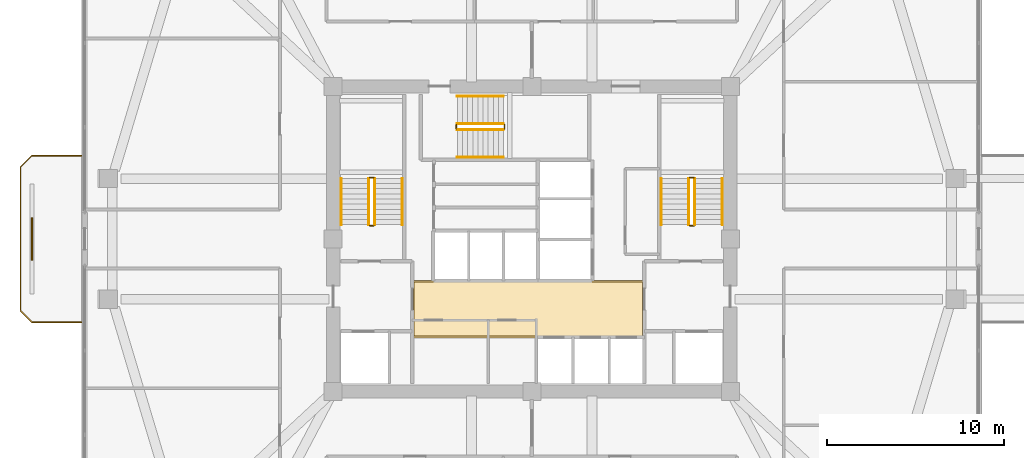
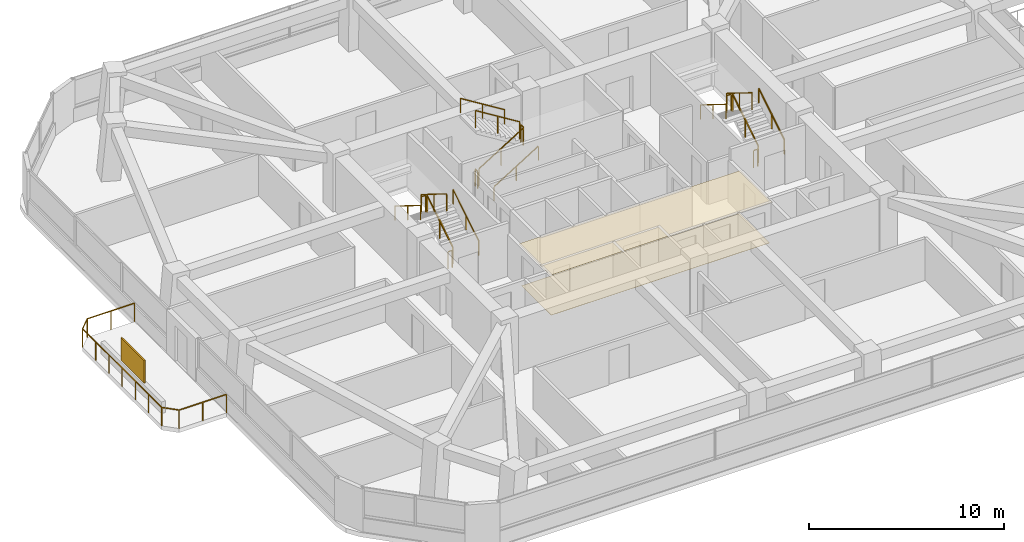
# One storey, part 13 of 14: 19 railings, 2 coverings, 1 shading device.
"""IFC4 building model written with IfcOpenShell, lengths in metres."""

from ifc_helpers import new_model, si_unit, derived_unit, direction, frame, origin, origin_2d, place, context, subcontext, project, spatial, polyline, rectangle, outline, extrude, material, layer, layer_set, type_object, element, save


model = new_model("IFC4")

# Units and contexts
model_context = context("Model", 3, precision=1e-05, world=origin(), true_north=direction((0.0, 1.0)))
body_context = subcontext(model_context, "Body", "Model", "MODEL_VIEW")
ifc_project = project(units=[si_unit("LENGTHUNIT", "METRE"), si_unit("AREAUNIT", "SQUARE_METRE"), si_unit("VOLUMEUNIT", "CUBIC_METRE"), si_unit("PLANEANGLEUNIT", "RADIAN"), si_unit("MASSUNIT", "GRAM", prefix="KILO"), derived_unit("THERMALTRANSMITTANCEUNIT", [(si_unit("POWERUNIT", "WATT"), 1), (si_unit("LENGTHUNIT", "METRE"), -2), (si_unit("THERMODYNAMICTEMPERATUREUNIT", "KELVIN"), -1)])], contexts=[model_context])

# Site, building, storey
site_placement = place(None, origin())
site = spatial("IfcSite", under=ifc_project, at=site_placement, CompositionType="ELEMENT")
building_placement = place(site_placement, origin())
building = spatial("IfcBuilding", under=site, at=building_placement, Name="Koralith Skygarden Medical Center", CompositionType="ELEMENT")
storey_placement = place(building_placement, frame((0.0, 0.0, 106.3798828125)))
storey = spatial("IfcBuildingStorey", under=building, at=storey_placement, Name="L27", CompositionType="ELEMENT", Elevation=106.3798828125)

# Covering
ifc_material_1 = material(Name="Acoustic Mineral Tile")
ifc_layer_1 = layer(ifc_material_1, 0.02001953125)
ifc_layer_set_1 = layer_set([ifc_layer_1], Name="Acoustic Mineral Tile")
covering_type_1 = type_object("IfcCoveringType", Name="Acoustic Hygienic Mineral Ceiling 20", PredefinedType="CEILING", material=ifc_layer_set_1)
covering_1_placement = place(storey_placement, frame((0.0, 0.0, 2.585205078125)))
element("IfcCovering", 1, at=covering_1_placement, inside=storey, type_object=covering_type_1, Name="L27 Core Lobby Acoustic Ceiling", PredefinedType="CEILING", context=body_context, shape_type="SweptSolid", body=[
    extrude(outline(polyline([(30.25, 20.320068359375), (43.35009765625, 20.320068359375), (43.35009765625, 23.56005859375), (30.25, 23.56005859375), (30.25, 20.320068359375)])), origin(), (0.0, 0.0, 1.0), 0.02001953125),
])

# Railing
ifc_material_2 = material(Name="Steel ASTM A500 Grade C", Category="steel")
railing_type_1 = type_object("IfcRailingType", Name="Outdoor Terrace & Balcony Safety Guardrail 1180", PredefinedType="GUARDRAIL", material=ifc_material_2)
railing_1_placement = place(storey_placement, frame((11.611083984375, 21.199951171875, 0.0)))
element("IfcRailing", 2, at=railing_1_placement, inside=storey, type_object=railing_type_1, Name="L27 W Balcony Perimeter Guardrail", PredefinedType="GUARDRAIL", context=body_context, shape_type="SweptSolid", body=[
    extrude(rectangle(XDim=0.050048828125, YDim=0.050048828125, at=origin_2d()), frame((-0.001953125, 0.0, 1.15478515625), z_axis=(-1.0, 0.0, 0.0), x_axis=(0.0, -1.0, 0.0)), (0.0, 0.0, 1.0), 2.795166015625),
    extrude(rectangle(XDim=0.050048828125, YDim=0.050048828125, at=origin_2d()), frame((-2.800537109375, 0.00146484375, 1.15478515625), z_axis=(-0.706973978714, 0.707239558722, 0.0), x_axis=(-0.707239558722, -0.706973978714, 0.0)), (0.0, 0.0, 1.0), 0.915283203125),
    extrude(rectangle(XDim=0.050048828125, YDim=0.050048828125, at=origin_2d()), frame((-3.448974609375, 0.652099609375, 1.15478515625), z_axis=(0.0, 1.0, 0.0), x_axis=(-1.0, 0.0, 0.0)), (0.0, 0.0, 1.0), 8.095947265625),
    extrude(rectangle(XDim=0.050048828125, YDim=0.050048828125, at=origin_2d()), frame((-3.447509765625, 8.75146484375, 1.15478515625), z_axis=(0.706973978714, 0.707239558722, 0.0), x_axis=(-0.707239558722, 0.706973978714, 0.0)), (0.0, 0.0, 1.0), 0.915283203125),
    extrude(rectangle(XDim=0.050048828125, YDim=0.050048828125, at=origin_2d()), frame((-2.797119140625, 9.400146484375, 1.15478515625), z_axis=(1.0, 0.0, 0.0), x_axis=(0.0, 1.0, 0.0)), (0.0, 0.0, 1.0), 2.795166015625),
    extrude(rectangle(XDim=0.0419921875, YDim=0.0419921875, at=origin_2d()), origin(), (0.0, 0.0, 1.0), 1.1279296875),
    extrude(rectangle(XDim=0.0419921875, YDim=0.0419921875, at=origin_2d()), frame((-1.3994140625, 0.0, 0.0)), (0.0, 0.0, 1.0), 1.1279296875),
    extrude(rectangle(XDim=0.0419921875, YDim=0.0419921875, at=origin_2d()), frame((-2.799072265625, 0.0, 0.0)), (0.0, 0.0, 1.0), 1.1279296875),
    extrude(rectangle(XDim=0.0419921875, YDim=0.0419921875, at=origin_2d()), frame((-3.448974609375, 0.650146484375, 0.0)), (0.0, 0.0, 1.0), 1.1279296875),
    extrude(rectangle(XDim=0.0419921875, YDim=0.0419921875, at=origin_2d()), frame((-3.448974609375, 2.0, 0.0)), (0.0, 0.0, 1.0), 1.1279296875),
    extrude(rectangle(XDim=0.0419921875, YDim=0.0419921875, at=origin_2d()), frame((-3.448974609375, 3.35009765625, 0.0)), (0.0, 0.0, 1.0), 1.1279296875),
    extrude(rectangle(XDim=0.0419921875, YDim=0.0419921875, at=origin_2d()), frame((-3.448974609375, 4.7001953125, 0.0)), (0.0, 0.0, 1.0), 1.1279296875),
    extrude(rectangle(XDim=0.0419921875, YDim=0.0419921875, at=origin_2d()), frame((-3.448974609375, 6.050048828125, 0.0)), (0.0, 0.0, 1.0), 1.1279296875),
    extrude(rectangle(XDim=0.0419921875, YDim=0.0419921875, at=origin_2d()), frame((-3.448974609375, 7.39990234375, 0.0)), (0.0, 0.0, 1.0), 1.1279296875),
    extrude(rectangle(XDim=0.0419921875, YDim=0.0419921875, at=origin_2d()), frame((-3.448974609375, 8.75, 0.0)), (0.0, 0.0, 1.0), 1.1279296875),
    extrude(rectangle(XDim=0.0419921875, YDim=0.0419921875, at=origin_2d()), frame((-2.799072265625, 9.400146484375, 0.0)), (0.0, 0.0, 1.0), 1.1279296875),
    extrude(rectangle(XDim=0.0419921875, YDim=0.0419921875, at=origin_2d()), frame((-1.3994140625, 9.400146484375, 0.0)), (0.0, 0.0, 1.0), 1.1279296875),
    extrude(rectangle(XDim=0.0419921875, YDim=0.0419921875, at=origin_2d()), frame((0.0, 9.400146484375, 0.0)), (0.0, 0.0, 1.0), 1.1279296875),
])

# Shading device
ifc_material_3 = material(Name="Aluminium 6063-T6", Category="aluminium")
ifc_layer_2 = layer(ifc_material_3, 0.080078125)
ifc_layer_set_2 = layer_set([ifc_layer_2], Name="Aluminium 6063-T6")
shading_device_type = type_object("IfcShadingDeviceType", Name="Perforated Biophilic Balcony Trellis Screen", PredefinedType="USERDEFINED", material=ifc_layer_set_2)
shading_device_placement = place(storey_placement, frame((8.81201171875, 25.89990234375, 0.72021484375), z_axis=(0.0, 0.0, 1.0), x_axis=(0.0, 1.0, 0.0)))
element("IfcShadingDevice", 3, at=shading_device_placement, inside=storey, type_object=shading_device_type, Name="L27 W Biophilic Balcony Trellis Screen", ObjectType="HURRICANE SCREEN", PredefinedType="USERDEFINED", context=body_context, shape_type="SweptSolid", body=[
    extrude(rectangle(XDim=2.39990234375, YDim=0.080078125, at=origin_2d()), origin(), (0.0, 0.0, 1.0), 1.39990234375),
])

# Covering
ifc_material_4 = material(Name="Medical Terrazzo Flooring")
ifc_layer_3 = layer(ifc_material_4, 0.014892578125)
ifc_layer_set_3 = layer_set([ifc_layer_3], Name="Medical Terrazzo Flooring")
covering_type_2 = type_object("IfcCoveringType", Name="Seamless Antimicrobial Terrazzo Flooring 15", PredefinedType="FLOORING", material=ifc_layer_set_3)
covering_2_placement = place(storey_placement, origin())
element("IfcCovering", 4, at=covering_2_placement, inside=storey, type_object=covering_type_2, Name="L27 Core Lobby Terrazzo Flooring", PredefinedType="FLOORING", context=body_context, shape_type="SweptSolid", body=[
    extrude(outline(polyline([(30.35009765625, 20.419921875), (43.25, 20.419921875), (43.25, 23.4599609375), (30.35009765625, 23.4599609375), (30.35009765625, 20.419921875)])), origin(), (0.0, 0.0, 1.0), 0.01513671875),
])

# Railings
railing_type_2 = type_object("IfcRailingType", Name="Stair Flight Tubular Handrail 920", PredefinedType="HANDRAIL", material=ifc_material_2)
railing_2_placement = place(storey_placement, frame((29.699951171875, 26.699951171875, 0.18017578125)))
element("IfcRailing", 5, at=railing_2_placement, inside=storey, type_object=railing_type_2, Name="L27 ST1 stair handrail 1", PredefinedType="HANDRAIL", context=body_context, shape_type="SweptSolid", body=[
    extrude(rectangle(XDim=0.050048828125, YDim=0.050048828125, at=origin_2d()), frame((0.0, 0.001708984375, 0.89599609375), z_axis=(0.0, 0.849668407637, 0.527317358963), x_axis=(-1.0, 0.0, 0.0)), (0.0, 0.0, 1.0), 3.06787109375),
    extrude(rectangle(XDim=0.0419921875, YDim=0.0419921875, at=origin_2d()), origin(), (0.0, 0.0, 1.0), 0.867919921875),
    extrude(rectangle(XDim=0.0419921875, YDim=0.0419921875, at=origin_2d()), frame((0.0, 1.30517578125, 0.81005859375)), (0.0, 0.0, 1.0), 0.867919921875),
    extrude(rectangle(XDim=0.0419921875, YDim=0.0419921875, at=origin_2d()), frame((0.0, 2.610107421875, 1.619873046875)), (0.0, 0.0, 1.0), 0.867919921875),
])
railing_3_placement = place(storey_placement, frame((26.25, 29.31005859375, 1.980224609375)))
element("IfcRailing", 6, at=railing_3_placement, inside=storey, type_object=railing_type_2, Name="L27 ST1 stair handrail 2", PredefinedType="HANDRAIL", context=body_context, shape_type="SweptSolid", body=[
    extrude(rectangle(XDim=0.050048828125, YDim=0.050048828125, at=origin_2d()), frame((0.0, -0.001708984375, 0.89599609375), z_axis=(0.0, -0.849668407637, 0.527317358963), x_axis=(1.0, 0.0, 0.0)), (0.0, 0.0, 1.0), 3.06787109375),
    extrude(rectangle(XDim=0.0419921875, YDim=0.0419921875, at=origin_2d()), origin(), (0.0, 0.0, 1.0), 0.867919921875),
    extrude(rectangle(XDim=0.0419921875, YDim=0.0419921875, at=origin_2d()), frame((0.0, -1.30517578125, 0.81005859375)), (0.0, 0.0, 1.0), 0.867919921875),
    extrude(rectangle(XDim=0.0419921875, YDim=0.0419921875, at=origin_2d()), frame((0.0, -2.610107421875, 1.619873046875)), (0.0, 0.0, 1.0), 0.867919921875),
])
railing_4_placement = place(storey_placement, frame((47.75, 26.699951171875, 0.18017578125)))
element("IfcRailing", 7, at=railing_4_placement, inside=storey, type_object=railing_type_2, Name="L27 ST2 stair handrail 1", PredefinedType="HANDRAIL", context=body_context, shape_type="SweptSolid", body=[
    extrude(rectangle(XDim=0.050048828125, YDim=0.050048828125, at=origin_2d()), frame((0.0, 0.001708984375, 0.89599609375), z_axis=(0.0, 0.849668407637, 0.527317358963), x_axis=(-1.0, 0.0, 0.0)), (0.0, 0.0, 1.0), 3.06787109375),
    extrude(rectangle(XDim=0.0419921875, YDim=0.0419921875, at=origin_2d()), origin(), (0.0, 0.0, 1.0), 0.867919921875),
    extrude(rectangle(XDim=0.0419921875, YDim=0.0419921875, at=origin_2d()), frame((0.0, 1.30517578125, 0.81005859375)), (0.0, 0.0, 1.0), 0.867919921875),
    extrude(rectangle(XDim=0.0419921875, YDim=0.0419921875, at=origin_2d()), frame((0.0, 2.610107421875, 1.619873046875)), (0.0, 0.0, 1.0), 0.867919921875),
])
railing_5_placement = place(storey_placement, frame((44.300048828125, 29.31005859375, 1.980224609375)))
element("IfcRailing", 8, at=railing_5_placement, inside=storey, type_object=railing_type_2, Name="L27 ST2 stair handrail 2", PredefinedType="HANDRAIL", context=body_context, shape_type="SweptSolid", body=[
    extrude(rectangle(XDim=0.050048828125, YDim=0.050048828125, at=origin_2d()), frame((0.0, -0.001708984375, 0.89599609375), z_axis=(0.0, -0.849668407637, 0.527317358963), x_axis=(1.0, 0.0, 0.0)), (0.0, 0.0, 1.0), 3.06787109375),
    extrude(rectangle(XDim=0.0419921875, YDim=0.0419921875, at=origin_2d()), origin(), (0.0, 0.0, 1.0), 0.867919921875),
    extrude(rectangle(XDim=0.0419921875, YDim=0.0419921875, at=origin_2d()), frame((0.0, -1.30517578125, 0.81005859375)), (0.0, 0.0, 1.0), 0.867919921875),
    extrude(rectangle(XDim=0.0419921875, YDim=0.0419921875, at=origin_2d()), frame((0.0, -2.610107421875, 1.619873046875)), (0.0, 0.0, 1.0), 0.867919921875),
])
railing_6_placement = place(storey_placement, frame((32.800048828125, 30.5, 0.18017578125)))
element("IfcRailing", 9, at=railing_6_placement, inside=storey, type_object=railing_type_2, Name="L27 ST3 stair handrail 1", PredefinedType="HANDRAIL", context=body_context, shape_type="SweptSolid", body=[
    extrude(rectangle(XDim=0.050048828125, YDim=0.050048828125, at=origin_2d()), frame((0.001708984375, 0.0, 0.89599609375), z_axis=(0.849646306263, 0.0, 0.527352969322), x_axis=(0.0, 1.0, 0.0)), (0.0, 0.0, 1.0), 3.067626953125),
    extrude(rectangle(XDim=0.0419921875, YDim=0.0419921875, at=origin_2d()), origin(), (0.0, 0.0, 1.0), 0.867919921875),
    extrude(rectangle(XDim=0.0419921875, YDim=0.0419921875, at=origin_2d()), frame((1.304931640625, 0.0, 0.81005859375)), (0.0, 0.0, 1.0), 0.867919921875),
    extrude(rectangle(XDim=0.0419921875, YDim=0.0419921875, at=origin_2d()), frame((2.60986328125, 0.0, 1.619873046875)), (0.0, 0.0, 1.0), 0.867919921875),
])
railing_7_placement = place(storey_placement, frame((35.409912109375, 33.949951171875, 1.980224609375)))
element("IfcRailing", 10, at=railing_7_placement, inside=storey, type_object=railing_type_2, Name="L27 ST3 stair handrail 2", PredefinedType="HANDRAIL", context=body_context, shape_type="SweptSolid", body=[
    extrude(rectangle(XDim=0.050048828125, YDim=0.050048828125, at=origin_2d()), frame((-0.001708984375, 0.0, 0.89599609375), z_axis=(-0.849646306263, 0.0, 0.527352969322), x_axis=(0.0, -1.0, 0.0)), (0.0, 0.0, 1.0), 3.067626953125),
    extrude(rectangle(XDim=0.0419921875, YDim=0.0419921875, at=origin_2d()), origin(), (0.0, 0.0, 1.0), 0.867919921875),
    extrude(rectangle(XDim=0.0419921875, YDim=0.0419921875, at=origin_2d()), frame((-1.304931640625, 0.0, 0.81005859375)), (0.0, 0.0, 1.0), 0.867919921875),
    extrude(rectangle(XDim=0.0419921875, YDim=0.0419921875, at=origin_2d()), frame((-2.60986328125, 0.0, 1.619873046875)), (0.0, 0.0, 1.0), 0.867919921875),
])
railing_type_3 = type_object("IfcRailingType", Name="Stair Well Safety Guardrail 1100", PredefinedType="GUARDRAIL", material=ifc_material_2)
railing_8_placement = place(storey_placement, frame((28.14990234375, 26.699951171875, 0.18017578125)))
element("IfcRailing", 11, at=railing_8_placement, inside=storey, type_object=railing_type_3, Name="L27 ST1 stair guard 1", PredefinedType="GUARDRAIL", context=body_context, shape_type="SweptSolid", body=[
    extrude(rectangle(XDim=0.050048828125, YDim=0.050048828125, at=origin_2d()), frame((0.0, 0.001708984375, 1.076171875), z_axis=(0.0, 0.849668407637, 0.527317358963), x_axis=(-1.0, 0.0, 0.0)), (0.0, 0.0, 1.0), 3.06787109375),
    extrude(rectangle(XDim=0.0419921875, YDim=0.0419921875, at=origin_2d()), origin(), (0.0, 0.0, 1.0), 1.048095703125),
    extrude(rectangle(XDim=0.0419921875, YDim=0.0419921875, at=origin_2d()), frame((0.0, 1.30517578125, 0.81005859375)), (0.0, 0.0, 1.0), 1.048095703125),
    extrude(rectangle(XDim=0.0419921875, YDim=0.0419921875, at=origin_2d()), frame((0.0, 2.610107421875, 1.619873046875)), (0.0, 0.0, 1.0), 1.048095703125),
])
railing_9_placement = place(storey_placement, frame((28.10009765625, 29.360107421875, 1.800048828125)))
element("IfcRailing", 12, at=railing_9_placement, inside=storey, type_object=railing_type_3, Name="L27 ST1 stair guard 2", PredefinedType="GUARDRAIL", context=body_context, shape_type="SweptSolid", body=[
    extrude(rectangle(XDim=0.050048828125, YDim=0.050048828125, at=origin_2d()), frame((-0.001953125, 0.0, 1.0751953125), z_axis=(-1.0, 0.0, 0.0), x_axis=(0.0, -1.0, 0.0)), (0.0, 0.0, 1.0), 0.24609375),
    extrude(rectangle(XDim=0.0419921875, YDim=0.0419921875, at=origin_2d()), origin(), (0.0, 0.0, 1.0), 1.048095703125),
    extrude(rectangle(XDim=0.0419921875, YDim=0.0419921875, at=origin_2d()), frame((-0.25, 0.0, 0.0)), (0.0, 0.0, 1.0), 1.048095703125),
])
railing_10_placement = place(storey_placement, frame((27.800048828125, 29.31005859375, 1.980224609375)))
element("IfcRailing", 13, at=railing_10_placement, inside=storey, type_object=railing_type_3, Name="L27 ST1 stair guard 3", PredefinedType="GUARDRAIL", context=body_context, shape_type="SweptSolid", body=[
    extrude(rectangle(XDim=0.050048828125, YDim=0.050048828125, at=origin_2d()), frame((0.0, -0.001708984375, 1.076171875), z_axis=(0.0, -0.849668407637, 0.527317358963), x_axis=(1.0, 0.0, 0.0)), (0.0, 0.0, 1.0), 3.06787109375),
    extrude(rectangle(XDim=0.0419921875, YDim=0.0419921875, at=origin_2d()), origin(), (0.0, 0.0, 1.0), 1.048095703125),
    extrude(rectangle(XDim=0.0419921875, YDim=0.0419921875, at=origin_2d()), frame((0.0, -1.30517578125, 0.81005859375)), (0.0, 0.0, 1.0), 1.048095703125),
    extrude(rectangle(XDim=0.0419921875, YDim=0.0419921875, at=origin_2d()), frame((0.0, -2.610107421875, 1.619873046875)), (0.0, 0.0, 1.0), 1.048095703125),
])
railing_11_placement = place(storey_placement, frame((28.10009765625, 26.64990234375, 0.0)))
element("IfcRailing", 14, at=railing_11_placement, inside=storey, type_object=railing_type_3, Name="L27 ST1 stair guard 4", PredefinedType="GUARDRAIL", context=body_context, shape_type="SweptSolid", body=[
    extrude(rectangle(XDim=0.050048828125, YDim=0.050048828125, at=origin_2d()), frame((-0.001953125, 0.0, 1.0751953125), z_axis=(-1.0, 0.0, 0.0), x_axis=(0.0, -1.0, 0.0)), (0.0, 0.0, 1.0), 0.24609375),
    extrude(rectangle(XDim=0.0419921875, YDim=0.0419921875, at=origin_2d()), origin(), (0.0, 0.0, 1.0), 1.048095703125),
    extrude(rectangle(XDim=0.0419921875, YDim=0.0419921875, at=origin_2d()), frame((-0.25, 0.0, 0.0)), (0.0, 0.0, 1.0), 1.048095703125),
])
railing_12_placement = place(storey_placement, frame((46.199951171875, 26.699951171875, 0.18017578125)))
element("IfcRailing", 15, at=railing_12_placement, inside=storey, type_object=railing_type_3, Name="L27 ST2 stair guard 1", PredefinedType="GUARDRAIL", context=body_context, shape_type="SweptSolid", body=[
    extrude(rectangle(XDim=0.050048828125, YDim=0.050048828125, at=origin_2d()), frame((0.0, 0.001708984375, 1.076171875), z_axis=(0.0, 0.849668407637, 0.527317358963), x_axis=(-1.0, 0.0, 0.0)), (0.0, 0.0, 1.0), 3.06787109375),
    extrude(rectangle(XDim=0.0419921875, YDim=0.0419921875, at=origin_2d()), origin(), (0.0, 0.0, 1.0), 1.048095703125),
    extrude(rectangle(XDim=0.0419921875, YDim=0.0419921875, at=origin_2d()), frame((0.0, 1.30517578125, 0.81005859375)), (0.0, 0.0, 1.0), 1.048095703125),
    extrude(rectangle(XDim=0.0419921875, YDim=0.0419921875, at=origin_2d()), frame((0.0, 2.610107421875, 1.619873046875)), (0.0, 0.0, 1.0), 1.048095703125),
])
railing_13_placement = place(storey_placement, frame((46.14990234375, 29.360107421875, 1.800048828125)))
element("IfcRailing", 16, at=railing_13_placement, inside=storey, type_object=railing_type_3, Name="L27 ST2 stair guard 2", PredefinedType="GUARDRAIL", context=body_context, shape_type="SweptSolid", body=[
    extrude(rectangle(XDim=0.050048828125, YDim=0.050048828125, at=origin_2d()), frame((-0.001953125, 0.0, 1.0751953125), z_axis=(-1.0, 0.0, 0.0), x_axis=(0.0, -1.0, 0.0)), (0.0, 0.0, 1.0), 0.24609375),
    extrude(rectangle(XDim=0.0419921875, YDim=0.0419921875, at=origin_2d()), origin(), (0.0, 0.0, 1.0), 1.048095703125),
    extrude(rectangle(XDim=0.0419921875, YDim=0.0419921875, at=origin_2d()), frame((-0.25, 0.0, 0.0)), (0.0, 0.0, 1.0), 1.048095703125),
])
railing_14_placement = place(storey_placement, frame((45.85009765625, 29.31005859375, 1.980224609375)))
element("IfcRailing", 17, at=railing_14_placement, inside=storey, type_object=railing_type_3, Name="L27 ST2 stair guard 3", PredefinedType="GUARDRAIL", context=body_context, shape_type="SweptSolid", body=[
    extrude(rectangle(XDim=0.050048828125, YDim=0.050048828125, at=origin_2d()), frame((0.0, -0.001708984375, 1.076171875), z_axis=(0.0, -0.849668407637, 0.527317358963), x_axis=(1.0, 0.0, 0.0)), (0.0, 0.0, 1.0), 3.06787109375),
    extrude(rectangle(XDim=0.0419921875, YDim=0.0419921875, at=origin_2d()), origin(), (0.0, 0.0, 1.0), 1.048095703125),
    extrude(rectangle(XDim=0.0419921875, YDim=0.0419921875, at=origin_2d()), frame((0.0, -1.30517578125, 0.81005859375)), (0.0, 0.0, 1.0), 1.048095703125),
    extrude(rectangle(XDim=0.0419921875, YDim=0.0419921875, at=origin_2d()), frame((0.0, -2.610107421875, 1.619873046875)), (0.0, 0.0, 1.0), 1.048095703125),
])
railing_15_placement = place(storey_placement, frame((46.14990234375, 26.64990234375, 0.0)))
element("IfcRailing", 18, at=railing_15_placement, inside=storey, type_object=railing_type_3, Name="L27 ST2 stair guard 4", PredefinedType="GUARDRAIL", context=body_context, shape_type="SweptSolid", body=[
    extrude(rectangle(XDim=0.050048828125, YDim=0.050048828125, at=origin_2d()), frame((-0.001953125, 0.0, 1.0751953125), z_axis=(-1.0, 0.0, 0.0), x_axis=(0.0, -1.0, 0.0)), (0.0, 0.0, 1.0), 0.24609375),
    extrude(rectangle(XDim=0.0419921875, YDim=0.0419921875, at=origin_2d()), origin(), (0.0, 0.0, 1.0), 1.048095703125),
    extrude(rectangle(XDim=0.0419921875, YDim=0.0419921875, at=origin_2d()), frame((-0.25, 0.0, 0.0)), (0.0, 0.0, 1.0), 1.048095703125),
])
railing_16_placement = place(storey_placement, frame((32.800048828125, 32.050048828125, 0.18017578125)))
element("IfcRailing", 19, at=railing_16_placement, inside=storey, type_object=railing_type_3, Name="L27 ST3 stair guard 1", PredefinedType="GUARDRAIL", context=body_context, shape_type="SweptSolid", body=[
    extrude(rectangle(XDim=0.050048828125, YDim=0.050048828125, at=origin_2d()), frame((0.001708984375, 0.0, 1.076171875), z_axis=(0.849646306263, 0.0, 0.527352969322), x_axis=(0.0, 1.0, 0.0)), (0.0, 0.0, 1.0), 3.067626953125),
    extrude(rectangle(XDim=0.0419921875, YDim=0.0419921875, at=origin_2d()), origin(), (0.0, 0.0, 1.0), 1.048095703125),
    extrude(rectangle(XDim=0.0419921875, YDim=0.0419921875, at=origin_2d()), frame((1.304931640625, 0.0, 0.81005859375)), (0.0, 0.0, 1.0), 1.048095703125),
    extrude(rectangle(XDim=0.0419921875, YDim=0.0419921875, at=origin_2d()), frame((2.60986328125, 0.0, 1.619873046875)), (0.0, 0.0, 1.0), 1.048095703125),
])
railing_17_placement = place(storey_placement, frame((35.4599609375, 32.10009765625, 1.800048828125)))
element("IfcRailing", 20, at=railing_17_placement, inside=storey, type_object=railing_type_3, Name="L27 ST3 stair guard 2", PredefinedType="GUARDRAIL", context=body_context, shape_type="SweptSolid", body=[
    extrude(rectangle(XDim=0.050048828125, YDim=0.050048828125, at=origin_2d()), frame((0.0, 0.001953125, 1.0751953125), z_axis=(0.0, 1.0, 0.0), x_axis=(-1.0, 0.0, 0.0)), (0.0, 0.0, 1.0), 0.24609375),
    extrude(rectangle(XDim=0.0419921875, YDim=0.0419921875, at=origin_2d()), origin(), (0.0, 0.0, 1.0), 1.048095703125),
    extrude(rectangle(XDim=0.0419921875, YDim=0.0419921875, at=origin_2d()), frame((0.0, 0.25, 0.0)), (0.0, 0.0, 1.0), 1.048095703125),
])
railing_18_placement = place(storey_placement, frame((35.409912109375, 32.39990234375, 1.980224609375)))
element("IfcRailing", 21, at=railing_18_placement, inside=storey, type_object=railing_type_3, Name="L27 ST3 stair guard 3", PredefinedType="GUARDRAIL", context=body_context, shape_type="SweptSolid", body=[
    extrude(rectangle(XDim=0.050048828125, YDim=0.050048828125, at=origin_2d()), frame((-0.001708984375, 0.0, 1.076171875), z_axis=(-0.849646306263, 0.0, 0.527352969322), x_axis=(0.0, -1.0, 0.0)), (0.0, 0.0, 1.0), 3.067626953125),
    extrude(rectangle(XDim=0.0419921875, YDim=0.0419921875, at=origin_2d()), origin(), (0.0, 0.0, 1.0), 1.048095703125),
    extrude(rectangle(XDim=0.0419921875, YDim=0.0419921875, at=origin_2d()), frame((-1.304931640625, 0.0, 0.81005859375)), (0.0, 0.0, 1.0), 1.048095703125),
    extrude(rectangle(XDim=0.0419921875, YDim=0.0419921875, at=origin_2d()), frame((-2.60986328125, 0.0, 1.619873046875)), (0.0, 0.0, 1.0), 1.048095703125),
])
railing_19_placement = place(storey_placement, frame((32.75, 32.10009765625, 0.0)))
element("IfcRailing", 22, at=railing_19_placement, inside=storey, type_object=railing_type_3, Name="L27 ST3 stair guard 4", PredefinedType="GUARDRAIL", context=body_context, shape_type="SweptSolid", body=[
    extrude(rectangle(XDim=0.050048828125, YDim=0.050048828125, at=origin_2d()), frame((0.0, 0.001953125, 1.0751953125), z_axis=(0.0, 1.0, 0.0), x_axis=(-1.0, 0.0, 0.0)), (0.0, 0.0, 1.0), 0.24609375),
    extrude(rectangle(XDim=0.0419921875, YDim=0.0419921875, at=origin_2d()), origin(), (0.0, 0.0, 1.0), 1.048095703125),
    extrude(rectangle(XDim=0.0419921875, YDim=0.0419921875, at=origin_2d()), frame((0.0, 0.25, 0.0)), (0.0, 0.0, 1.0), 1.048095703125),
])

save(model, "model.ifc")
